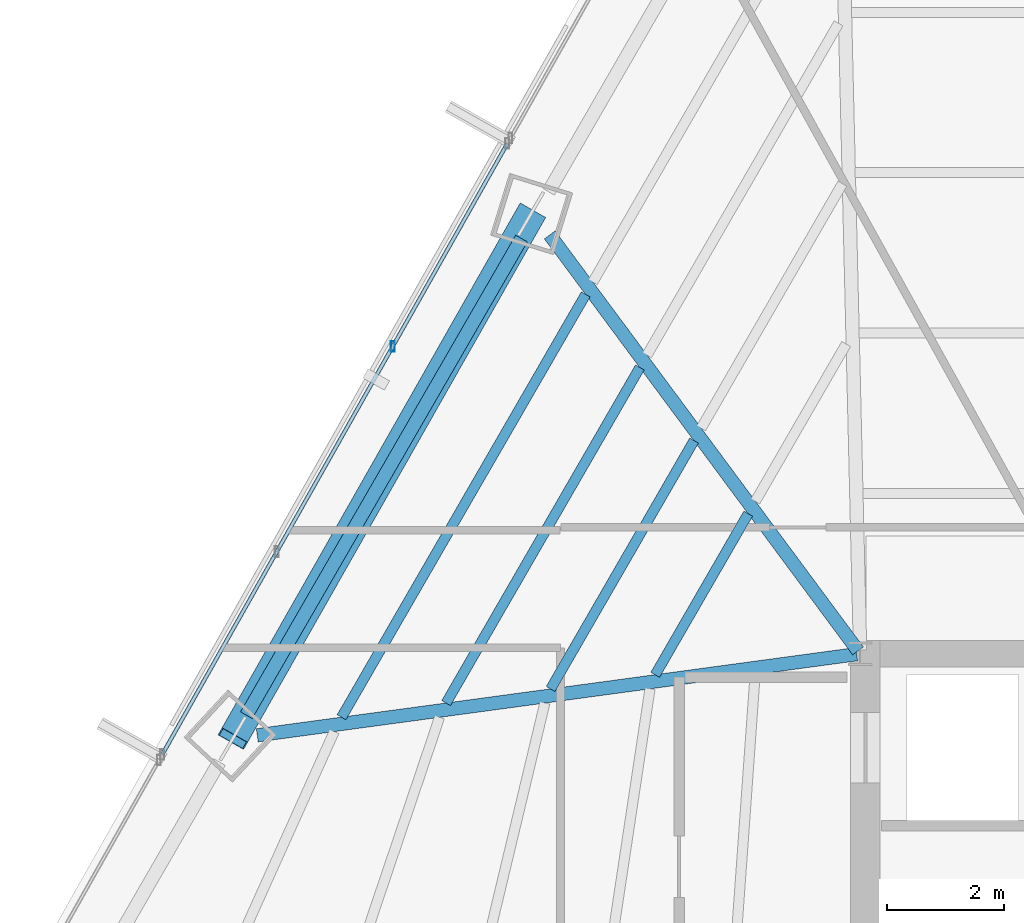
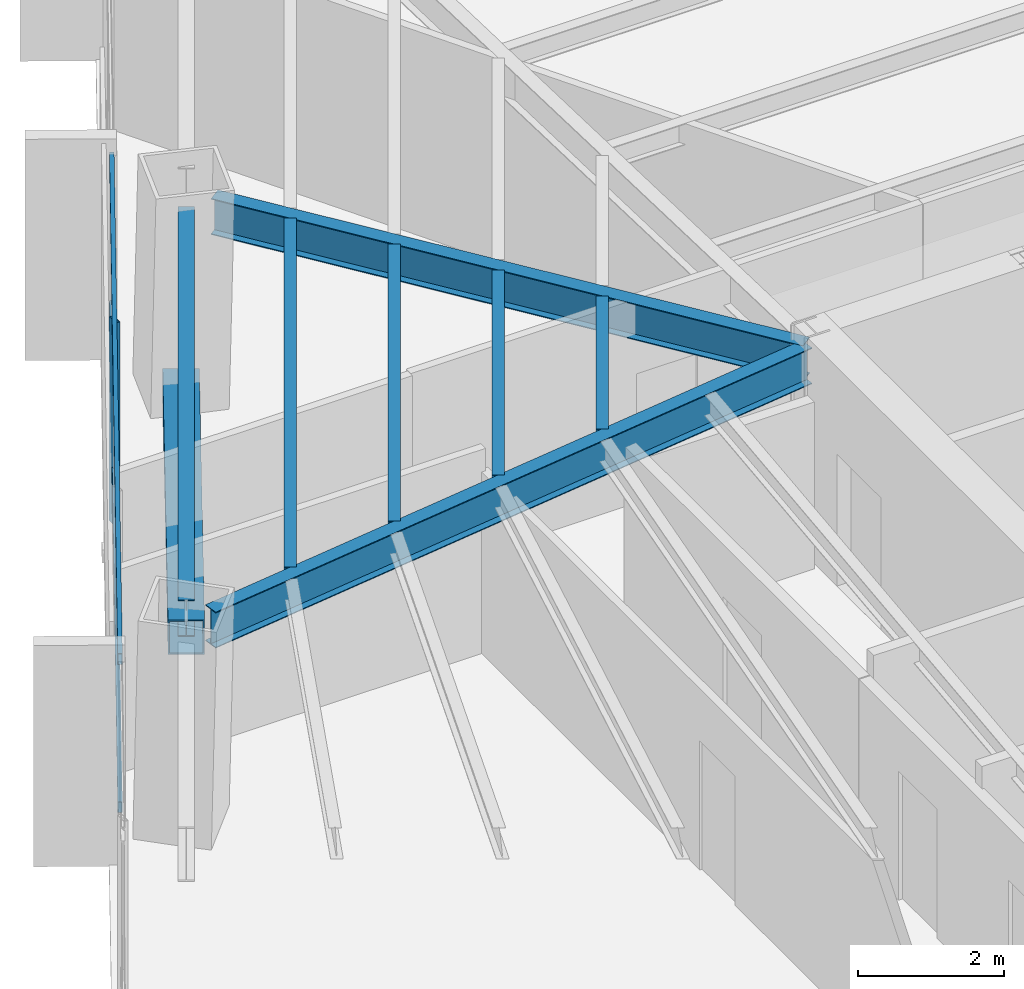
# One storey, part 13 of 36: 7 beams, 4 members, 1 element without a shape of its own.
"""IFC4 building model written with IfcOpenShell, lengths in metres."""

from ifc_helpers import new_model, si_unit, direction, frame, origin, origin_2d, place, context, subcontext, project, spatial, hollow_rectangle, i_section, extrude, source, transform, mapped, material, material_profile, profile_set, type_object, type_shapes, element, aggregate, save


model = new_model("IFC4")

# Units and contexts
model_context = context("Model", 3, precision=1e-05, world=origin(), true_north=direction((0.0, 1.0)))
body_context = subcontext(model_context, "Body", "Model", "MODEL_VIEW")
ifc_project = project(units=[si_unit("LENGTHUNIT", "METRE"), si_unit("AREAUNIT", "SQUARE_METRE"), si_unit("VOLUMEUNIT", "CUBIC_METRE"), si_unit("PLANEANGLEUNIT", "RADIAN"), si_unit("MASSUNIT", "GRAM", prefix="KILO")], contexts=[model_context])

# Site, building, storey
site_placement = place(None, origin())
site = spatial("IfcSite", under=ifc_project, at=site_placement, CompositionType="ELEMENT")
building_placement = place(site_placement, origin())
building = spatial("IfcBuilding", under=site, at=building_placement, Name="Caelisora Broadcast Tower", CompositionType="ELEMENT")
storey_placement = place(building_placement, frame((0.0, 0.0, 83.5)))
storey = spatial("IfcBuildingStorey", under=building, at=storey_placement, Name="L21", CompositionType="ELEMENT", Elevation=83.5)

# Beams
ifc_material_1 = material(Name="Steel Grade 350 (AS/NZS 3679.1)", Category="steel")
ifc_material_profile_1 = material_profile(ifc_material_1, i_section(OverallWidth=0.22900390625, OverallDepth=0.611572265625, WebThickness=0.011962890625, FlangeThickness=0.01953125, at=origin_2d()), Name="Steel Grade 350 (AS/NZS 3679.1)")
ifc_profile_set_1 = profile_set([ifc_material_profile_1], Name="Steel Grade 350 (AS/NZS 3679.1)")
beam_type_1 = type_object("IfcBeamType", Name="PG03", PredefinedType="BEAM", material=ifc_profile_set_1)
shared_shape_1 = source(origin(), body_context, "Body", "SweptSolid", [
    extrude(i_section(OverallWidth=0.22900390625, OverallDepth=0.611572265625, WebThickness=0.011962890625, FlangeThickness=0.01953125, at=origin_2d()), origin(), (0.0, 0.0, 1.0), 9.369384765625),
])
type_shapes(beam_type_1, [shared_shape_1])
beam_1_placement = place(storey_placement, frame((24.736083984375, 37.0673828125, 3.09423828125), z_axis=(-0.499984100898, -0.86603458294, 0.0), x_axis=(0.86603458294, -0.499984100898, 0.0)))
element("IfcBeam", 1, at=beam_1_placement, inside=storey, type_object=beam_type_1, Name="L21 beam PG03", PredefinedType="BEAM", context=body_context, shape_type="MappedRepresentation", body=[
    mapped(shared_shape_1, transform((0.0, 0.0, 0.0), scale=1.0)),
])
ifc_material_profile_2 = material_profile(ifc_material_1, i_section(OverallWidth=0.22802734375, OverallDepth=0.602294921875, WebThickness=0.010498046875, FlangeThickness=0.014892578125, at=origin_2d()), Name="Steel Grade 350 (AS/NZS 3679.1)")
ifc_profile_set_2 = profile_set([ifc_material_profile_2], Name="Steel Grade 350 (AS/NZS 3679.1)")
beam_type_2 = type_object("IfcBeamType", Name="PG04", PredefinedType="BEAM", material=ifc_profile_set_2)
shared_shape_2 = source(origin(), body_context, "Body", "SweptSolid", [
    extrude(i_section(OverallWidth=0.22802734375, OverallDepth=0.602294921875, WebThickness=0.010498046875, FlangeThickness=0.014892578125, at=origin_2d()), origin(), (0.0, 0.0, 1.0), 8.813232421875),
])
beam_2_placement = place(storey_placement, frame((30.46435546875, 30.048095703125, 3.098876953125), z_axis=(-0.595473966427, 0.803374604594, 0.0), x_axis=(-0.803374604594, -0.595473966427, 0.0)))
element("IfcBeam", 2, at=beam_2_placement, inside=storey, type_object=beam_type_2, Name="L21 beam PG04", PredefinedType="BEAM", context=body_context, shape_type="MappedRepresentation", body=[
    mapped(shared_shape_2, transform((0.0, 0.0, 0.0), scale=1.0)),
])
shared_shape_3 = source(origin(), body_context, "Body", "SweptSolid", [
    extrude(i_section(OverallWidth=0.22802734375, OverallDepth=0.602294921875, WebThickness=0.010498046875, FlangeThickness=0.014892578125, at=origin_2d()), origin(), (0.0, 0.0, 1.0), 10.2958984375),
])
type_shapes(beam_type_2, [shared_shape_2, shared_shape_3])
beam_3_placement = place(storey_placement, frame((30.4404296875, 29.991943359375, 3.098876953125), z_axis=(-0.990965448939, -0.134117407557, 0.0), x_axis=(0.134117407557, -0.990965448939, 0.0)))
element("IfcBeam", 3, at=beam_3_placement, inside=storey, type_object=beam_type_2, Name="L21 beam PG04", PredefinedType="BEAM", context=body_context, shape_type="MappedRepresentation", body=[
    mapped(shared_shape_3, transform((0.0, 0.0, 0.0), scale=1.0)),
])
ifc_material_profile_3 = material_profile(ifc_material_1, i_section(OverallWidth=0.172119140625, OverallDepth=0.358642578125, WebThickness=0.008056640625, FlangeThickness=0.012939453125, at=origin_2d()), Name="Steel Grade 350 (AS/NZS 3679.1)")
ifc_profile_set_3 = profile_set([ifc_material_profile_3], Name="Steel Grade 350 (AS/NZS 3679.1)")
beam_type_3 = type_object("IfcBeamType", Name="SB02", PredefinedType="JOIST", material=ifc_profile_set_3)
shared_shape_4 = source(origin(), body_context, "Body", "SweptSolid", [
    extrude(i_section(OverallWidth=0.172119140625, OverallDepth=0.358642578125, WebThickness=0.008056640625, FlangeThickness=0.012939453125, at=origin_2d()), origin(), (0.0, 0.0, 1.0), 3.16748046875),
])
beam_4_placement = place(storey_placement, frame((28.5947265625, 32.383544921875, 3.220703125), z_axis=(-0.499993778509, -0.866028995734, 0.0), x_axis=(0.866028995734, -0.499993778509, 0.0)))
element("IfcBeam", 4, at=beam_4_placement, inside=storey, type_object=beam_type_3, Name="L21 beam SB02", PredefinedType="JOIST", context=body_context, shape_type="MappedRepresentation", body=[
    mapped(shared_shape_4, transform((0.0, 0.0, 0.0), scale=1.0)),
])
shared_shape_5 = source(origin(), body_context, "Body", "SweptSolid", [
    extrude(i_section(OverallWidth=0.172119140625, OverallDepth=0.358642578125, WebThickness=0.008056640625, FlangeThickness=0.012939453125, at=origin_2d()), origin(), (0.0, 0.0, 1.0), 4.8828125),
])
beam_5_placement = place(storey_placement, frame((27.672607421875, 33.6279296875, 3.220703125), z_axis=(-0.500011000363, -0.866019052629, 0.0), x_axis=(0.866019052629, -0.500011000363, 0.0)))
element("IfcBeam", 5, at=beam_5_placement, inside=storey, type_object=beam_type_3, Name="L21 beam SB02", PredefinedType="JOIST", context=body_context, shape_type="MappedRepresentation", body=[
    mapped(shared_shape_5, transform((0.0, 0.0, 0.0), scale=1.0)),
])
shared_shape_6 = source(origin(), body_context, "Body", "SweptSolid", [
    extrude(i_section(OverallWidth=0.172119140625, OverallDepth=0.358642578125, WebThickness=0.008056640625, FlangeThickness=0.012939453125, at=origin_2d()), origin(), (0.0, 0.0, 1.0), 6.59765625),
])
beam_6_placement = place(storey_placement, frame((26.750244140625, 34.872314453125, 3.220703125), z_axis=(-0.500007539231, -0.866021050964, 0.0), x_axis=(0.866021050964, -0.500007539231, 0.0)))
element("IfcBeam", 6, at=beam_6_placement, inside=storey, type_object=beam_type_3, Name="L21 beam SB02", PredefinedType="JOIST", context=body_context, shape_type="MappedRepresentation", body=[
    mapped(shared_shape_6, transform((0.0, 0.0, 0.0), scale=1.0)),
])
shared_shape_7 = source(origin(), body_context, "Body", "SweptSolid", [
    extrude(i_section(OverallWidth=0.172119140625, OverallDepth=0.358642578125, WebThickness=0.008056640625, FlangeThickness=0.012939453125, at=origin_2d()), origin(), (0.0, 0.0, 1.0), 8.3125),
])
type_shapes(beam_type_3, [shared_shape_4, shared_shape_5, shared_shape_6, shared_shape_7])
beam_7_placement = place(storey_placement, frame((25.827880859375, 36.116455078125, 3.220703125), z_axis=(-0.50000550616, -0.866022224778, 0.0), x_axis=(0.866022224778, -0.50000550616, 0.0)))
element("IfcBeam", 7, at=beam_7_placement, inside=storey, type_object=beam_type_3, Name="L21 beam SB02", PredefinedType="JOIST", context=body_context, shape_type="MappedRepresentation", body=[
    mapped(shared_shape_7, transform((0.0, 0.0, 0.0), scale=1.0)),
])

# Member
ifc_material_2 = material(Name="Steel Grade 450 L15 (AS/NZS 3678)", Category="steel")
ifc_material_profile_4 = material_profile(ifc_material_2, hollow_rectangle(XDim=0.5, YDim=0.5, WallThickness=0.02001953125, at=origin_2d()), Name="Steel Grade 450 L15 (AS/NZS 3678)")
ifc_profile_set_4 = profile_set([ifc_material_profile_4], Name="Steel Grade 450 L15 (AS/NZS 3678)")
member_type_1 = type_object("IfcMemberType", Name="BR02", PredefinedType="BRACE", material=ifc_profile_set_4)
shared_shape_8 = source(origin(), body_context, "Body", "SweptSolid", [
    extrude(hollow_rectangle(XDim=0.5, YDim=0.5, WallThickness=0.02001953125, at=origin_2d()), origin(), (0.0, 0.0, 1.0), 10.70263671875),
])
type_shapes(member_type_1, [shared_shape_8])
member_1_placement = place(storey_placement, frame((24.8955078125, 37.48779296875, 0.10009765625), z_axis=(-0.474105833589, -0.834658027859, 0.280302756117), x_axis=(0.869515473422, -0.493905701, 0.0)))
element("IfcMember", 8, at=member_1_placement, inside=storey, type_object=member_type_1, Name="L21 perimeter brace BR02", PredefinedType="BRACE", context=body_context, shape_type="MappedRepresentation", body=[
    mapped(shared_shape_8, transform((0.0, 0.0, 0.0), scale=1.0)),
])

# Curtain wall, members
ifc_material_3 = material(Name="Unitised Aluminium Insulated Shadow-Box Spandrel Curtain Wall", Category="aluminium")
curtain_wall_type = type_object("IfcCurtainWallType", Name="CW-SP1", PredefinedType="NOTDEFINED", material=ifc_material_3)
curtain_wall_placement = place(storey_placement, origin())
curtain_wall = element("IfcCurtainWall", 9, at=curtain_wall_placement, inside=storey, type_object=curtain_wall_type, Name="L21 curtain wall CW-SP1", PredefinedType="NOTDEFINED")
ifc_material_4 = material(Name="Aluminium 6063-T6 Anodised Terracotta Bronze", Category="aluminium")
ifc_material_profile_5 = material_profile(ifc_material_4, hollow_rectangle(XDim=0.06494140625, YDim=0.179931640625, WallThickness=0.00341796875, at=origin_2d()), Name="Aluminium 6063-T6 Anodised Terracotta Bronze")
ifc_profile_set_5 = profile_set([ifc_material_profile_5], Name="Aluminium 6063-T6 Anodised Terracotta Bronze")
member_type_2 = type_object("IfcMemberType", Name="CWM-02", PredefinedType="MULLION", material=ifc_profile_set_5)
shared_shape_9 = source(origin(), body_context, "Body", "SweptSolid", [
    extrude(hollow_rectangle(XDim=0.06494140625, YDim=0.179931640625, WallThickness=0.00341796875, at=origin_2d()), origin(), (0.0, 0.0, 1.0), 3.39990234375),
])
type_shapes(member_type_2, [shared_shape_9])
member_2_placement = place(storey_placement, frame((22.54443359375, 35.231689453125, 0.0), z_axis=(0.0, 0.0, 1.0), x_axis=(1.0, 0.0, 0.0)))
member_2 = element("IfcMember", 10, at=member_2_placement, type_object=member_type_2, Name="L21-CW-B10 mullion #2", PredefinedType="MULLION", context=body_context, shape_type="MappedRepresentation", body=[
    mapped(shared_shape_9, transform((0.0, 0.0, 0.0), scale=1.0)),
])
ifc_material_profile_6 = material_profile(ifc_material_4, hollow_rectangle(XDim=0.06494140625, YDim=0.179931640625, WallThickness=0.00341796875, at=origin_2d()), Name="Aluminium 6063-T6 Anodised Terracotta Bronze")
ifc_profile_set_6 = profile_set([ifc_material_profile_6], Name="Aluminium 6063-T6 Anodised Terracotta Bronze")
member_type_3 = type_object("IfcMemberType", Name="CWT-01", PredefinedType="USERDEFINED", material=ifc_profile_set_6)
shared_shape_10 = source(origin(), body_context, "Body", "SweptSolid", [
    extrude(hollow_rectangle(XDim=0.06494140625, YDim=0.179931640625, WallThickness=0.00341796875, at=origin_2d()), origin(), (0.0, 0.0, 1.0), 11.946533203125),
])
type_shapes(member_type_3, [shared_shape_10])
member_3_placement = place(storey_placement, frame((18.619384765625, 28.28271484375, 0.85009765625), z_axis=(0.491799322066, 0.870708577433, 0.0), x_axis=(-0.870708577433, 0.491799322066, 0.0)))
member_3 = element("IfcMember", 11, at=member_3_placement, type_object=member_type_3, Name="L21-CW-B10 transom #1", ObjectType="TRANSOM", PredefinedType="USERDEFINED", context=body_context, shape_type="MappedRepresentation", body=[
    mapped(shared_shape_10, transform((0.0, 0.0, 0.0), scale=1.0)),
])
member_4_placement = place(storey_placement, frame((18.619384765625, 28.28271484375, 3.320068359375), z_axis=(0.491799322066, 0.870708577433, 0.0), x_axis=(-0.870708577433, 0.491799322066, 0.0)))
member_4 = element("IfcMember", 12, at=member_4_placement, type_object=member_type_3, Name="L21-CW-B10 transom #2", ObjectType="TRANSOM", PredefinedType="USERDEFINED", context=body_context, shape_type="MappedRepresentation", body=[
    mapped(shared_shape_10, transform((0.0, 0.0, 0.0), scale=1.0)),
])
aggregate(curtain_wall, [member_2, member_3, member_4])

save(model, "model.ifc")
